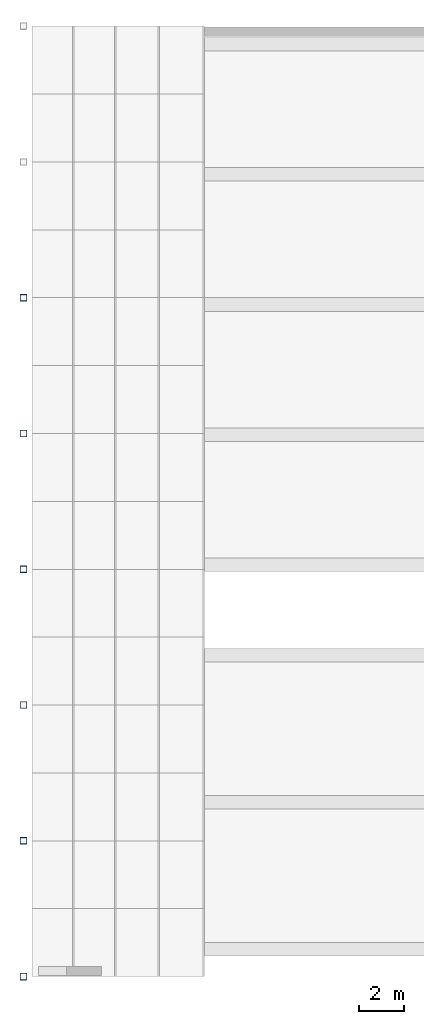
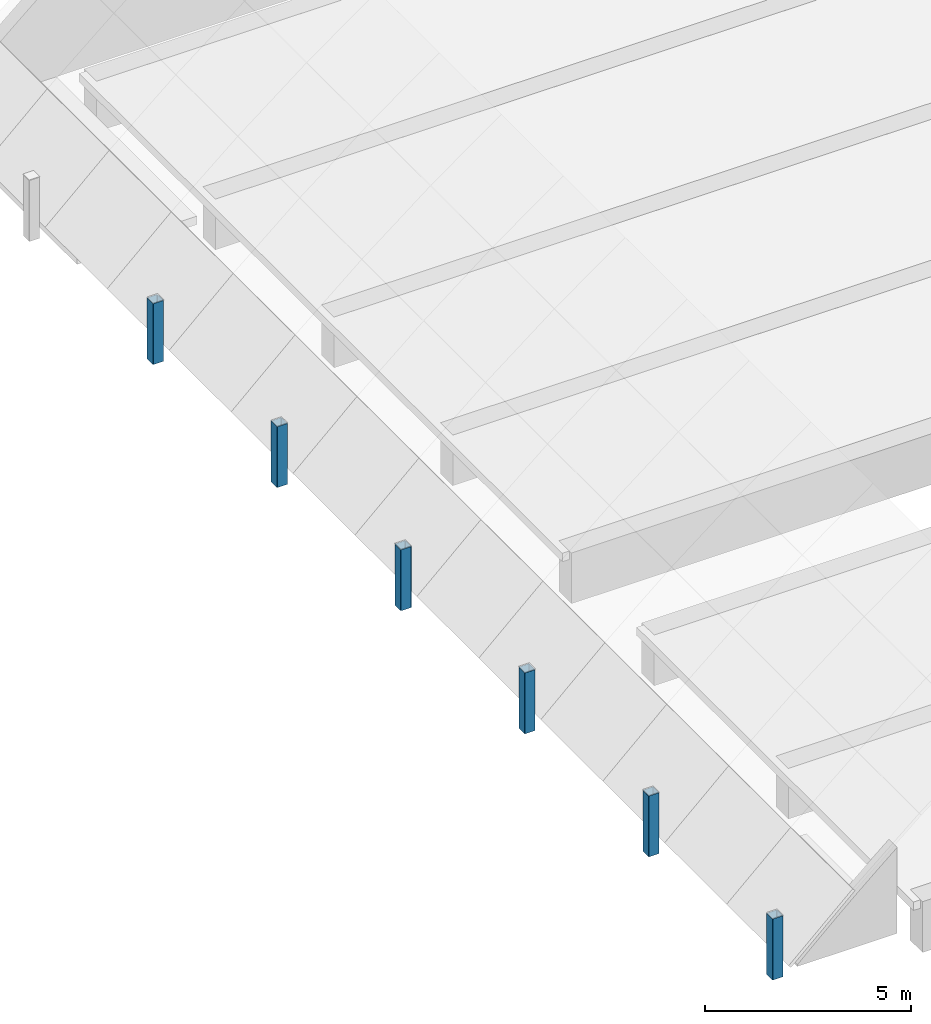
# One storey, part 1 of 89: 6 columns.
"""IFC4 building model written with IfcOpenShell, lengths in metres."""

from ifc_helpers import new_model, si_unit, direction, frame, origin, origin_2d, place, context, subcontext, project, spatial, hollow_rectangle, extrude, material, material_profile, profile_set, type_object, element, save


model = new_model("IFC4")

# Units and contexts
model_context = context("Model", 3, precision=1e-05, world=origin(), true_north=direction((0.0, 1.0)))
body_context = subcontext(model_context, "Body", "Model", "MODEL_VIEW")
ifc_project = project(units=[si_unit("LENGTHUNIT", "METRE"), si_unit("AREAUNIT", "SQUARE_METRE"), si_unit("VOLUMEUNIT", "CUBIC_METRE"), si_unit("PLANEANGLEUNIT", "RADIAN"), si_unit("MASSUNIT", "GRAM", prefix="KILO")], contexts=[model_context])

# Site, building, storey
site_placement = place(None, origin())
site = spatial("IfcSite", under=ifc_project, at=site_placement, CompositionType="ELEMENT")
building_placement = place(site_placement, origin())
building = spatial("IfcBuilding", under=site, at=building_placement, Name="Lantern Court Media Centre", CompositionType="ELEMENT")
storey_placement = place(building_placement, frame((0.0, 0.0, 14.39990234375)))
storey = spatial("IfcBuildingStorey", under=building, at=storey_placement, Name="L03", CompositionType="ELEMENT", Elevation=14.39990234375)

# Columns
ifc_material = material(Name="Steel S355J2 (EN 10025-2)", Category="steel")
ifc_material_profile = material_profile(ifc_material, hollow_rectangle(XDim=0.300048828125, YDim=0.300048828125, WallThickness=0.012451171875, InnerFilletRadius=0.012451171875, OuterFilletRadius=0.018798828125, at=origin_2d()), Name="Cinema Hall buttress pinnacle SHS 300x12.5")
ifc_profile_set = profile_set([ifc_material_profile], Name="Steel S355J2 (EN 10025-2)")
column_type = type_object("IfcColumnType", Name="Cinema Hall buttress pinnacle SHS 300x12.5", PredefinedType="COLUMN", material=ifc_profile_set)
for number, where, z_axis, x_axis, name in (
    (1, (-0.4501953125, -2.0, 0.0), (0.0, 0.0, 1.0), (1.0, 0.0, 0.0), "Cinema Hall pinnacle west 1"),
    (2, (-0.4501953125, 4.0, 0.0), (0.0, 0.0, 1.0), (1.0, 0.0, 0.0), "Cinema Hall pinnacle west 2"),
    (3, (-0.4501953125, 10.0, 0.0), (0.0, 0.0, 1.0), (1.0, 0.0, 0.0), "Cinema Hall pinnacle west 3"),
    (4, (-0.4501953125, 16.0, 0.0), (0.0, 0.0, 1.0), (1.0, 0.0, 0.0), "Cinema Hall pinnacle west 4"),
    (5, (-0.4501953125, 22.0, 0.0), (0.0, 0.0, 1.0), (1.0, 0.0, 0.0), "Cinema Hall pinnacle west 5"),
    (6, (-0.4501953125, 28.0, 0.0), (0.0, 0.0, 1.0), (1.0, 0.0, 0.0), "Cinema Hall pinnacle west 6"),
):
    element("IfcColumn", number, at=place(storey_placement, frame(where, z_axis=z_axis, x_axis=x_axis)), inside=storey, type_object=column_type, Name=name, PredefinedType="COLUMN", context=body_context, shape_type="SweptSolid", body=[
        extrude(hollow_rectangle(XDim=0.300048828125, YDim=0.300048828125, WallThickness=0.012451171875, InnerFilletRadius=0.012451171875, OuterFilletRadius=0.018798828125, at=origin_2d()), origin(), (0.0, 0.0, 1.0), 1.800048828125),
    ])

save(model, "model.ifc")
